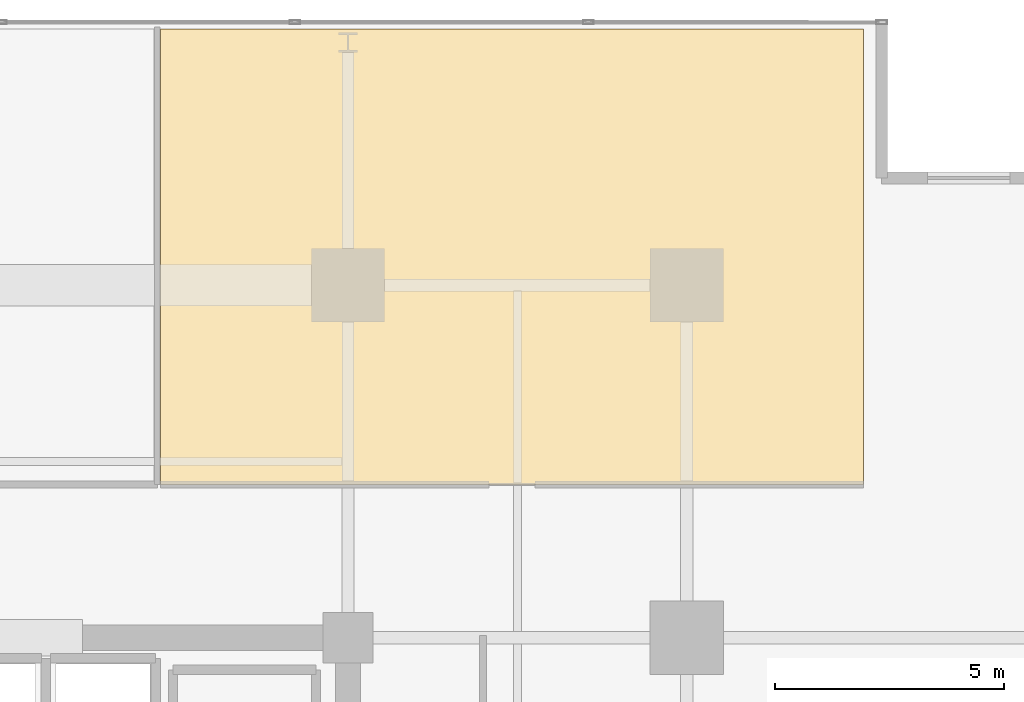
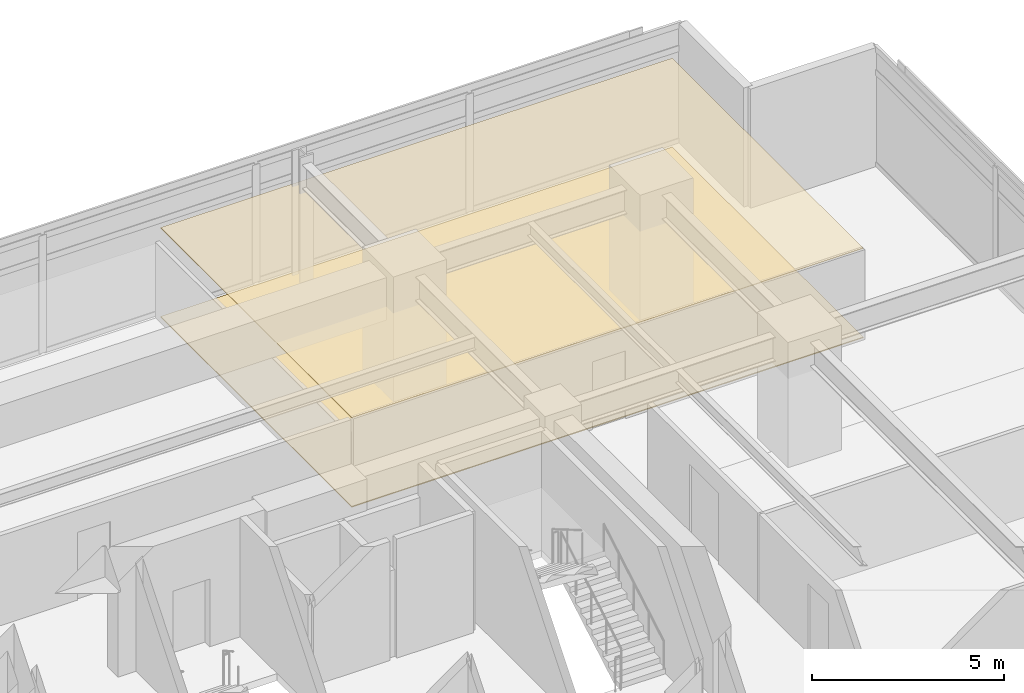
# One storey, part 23 of 23: 2 coverings.
"""IFC4 building model written with IfcOpenShell, lengths in metres."""

from ifc_helpers import new_model, si_unit, direction, frame, origin, place, context, subcontext, project, spatial, polyline, outline, extrude, material, layer, layer_set, type_object, element, save


model = new_model("IFC4")

# Units and contexts
model_context = context("Model", 3, precision=1e-05, world=origin(), true_north=direction((0.0, 1.0)))
body_context = subcontext(model_context, "Body", "Model", "MODEL_VIEW")
ifc_project = project(units=[si_unit("LENGTHUNIT", "METRE"), si_unit("AREAUNIT", "SQUARE_METRE"), si_unit("VOLUMEUNIT", "CUBIC_METRE"), si_unit("PLANEANGLEUNIT", "RADIAN"), si_unit("MASSUNIT", "GRAM", prefix="KILO")], contexts=[model_context])

# Site, building, storey
site_placement = place(None, origin())
site = spatial("IfcSite", under=ifc_project, at=site_placement, CompositionType="ELEMENT")
building_placement = place(site_placement, origin())
building = spatial("IfcBuilding", under=site, at=building_placement, Name="Kovane Verandah Tower", CompositionType="ELEMENT")
storey_placement = place(building_placement, frame((0.0, 0.0, 140.39990234375)))
storey = spatial("IfcBuildingStorey", under=building, at=storey_placement, Name="L32", CompositionType="ELEMENT", Elevation=140.39990234375)

# Coverings
ifc_material_1 = material(Name="Perforated Acoustic Mineral-Fibre Ceiling Tile", Category="gypsum")
ifc_layer_1 = layer(ifc_material_1, 0.02490234375)
ifc_layer_set_1 = layer_set([ifc_layer_1], Name="Perforated Acoustic Mineral-Fibre Ceiling Tile")
covering_type_1 = type_object("IfcCoveringType", Name="CV-CEIL-25", PredefinedType="CEILING", material=ifc_layer_set_1)
covering_1_placement = place(storey_placement, frame((0.0, 0.0, 2.8251953125)))
element("IfcCovering", 1, at=covering_1_placement, inside=storey, type_object=covering_type_1, Name="L32 Focus Studio N3 Acoustic Ceiling", PredefinedType="CEILING", context=body_context, shape_type="SweptSolid", body=[
    extrude(outline(polyline([(46.906005859375, 39.85009765625), (62.256103515625, 39.85009765625), (62.256103515625, 49.790771484375), (46.906005859375, 49.790771484375), (46.906005859375, 39.85009765625)])), origin(), (0.0, 0.0, 1.0), 0.02490234375),
])
ifc_material_2 = material(Name="Polished Terrazzo and Raised-Access Carpet Tile Finish", Category="concrete")
ifc_layer_2 = layer(ifc_material_2, 0.030029296875)
ifc_layer_set_2 = layer_set([ifc_layer_2], Name="Polished Terrazzo and Raised-Access Carpet Tile Finish")
covering_type_2 = type_object("IfcCoveringType", Name="CV-FLOR-30", PredefinedType="FLOORING", material=ifc_layer_set_2)
covering_2_placement = place(storey_placement, origin())
element("IfcCovering", 2, at=covering_2_placement, inside=storey, type_object=covering_type_2, Name="L32 Focus Studio N3 Floor Finish", PredefinedType="FLOORING", context=body_context, shape_type="SweptSolid", body=[
    extrude(outline(polyline([(46.906005859375, 39.85009765625), (62.256103515625, 39.85009765625), (62.256103515625, 49.790771484375), (46.906005859375, 49.790771484375), (46.906005859375, 39.85009765625)])), origin(), (0.0, 0.0, 1.0), 0.030029296875),
])

save(model, "model.ifc")
